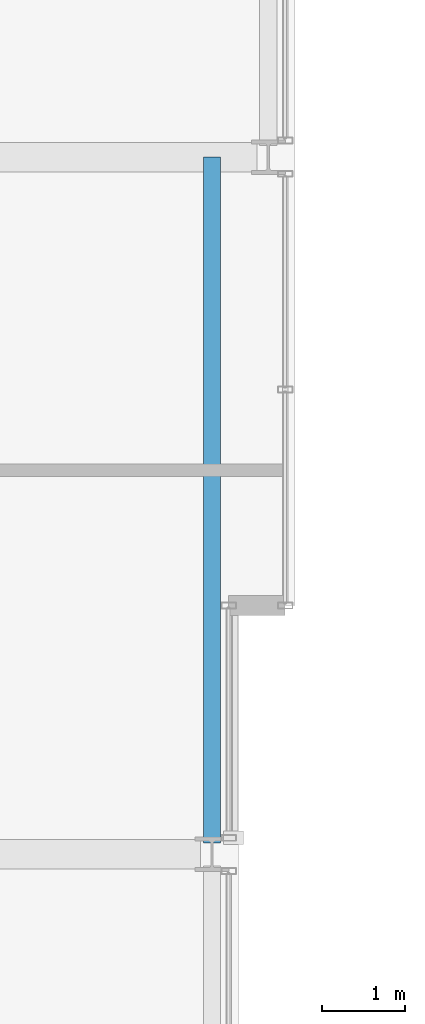
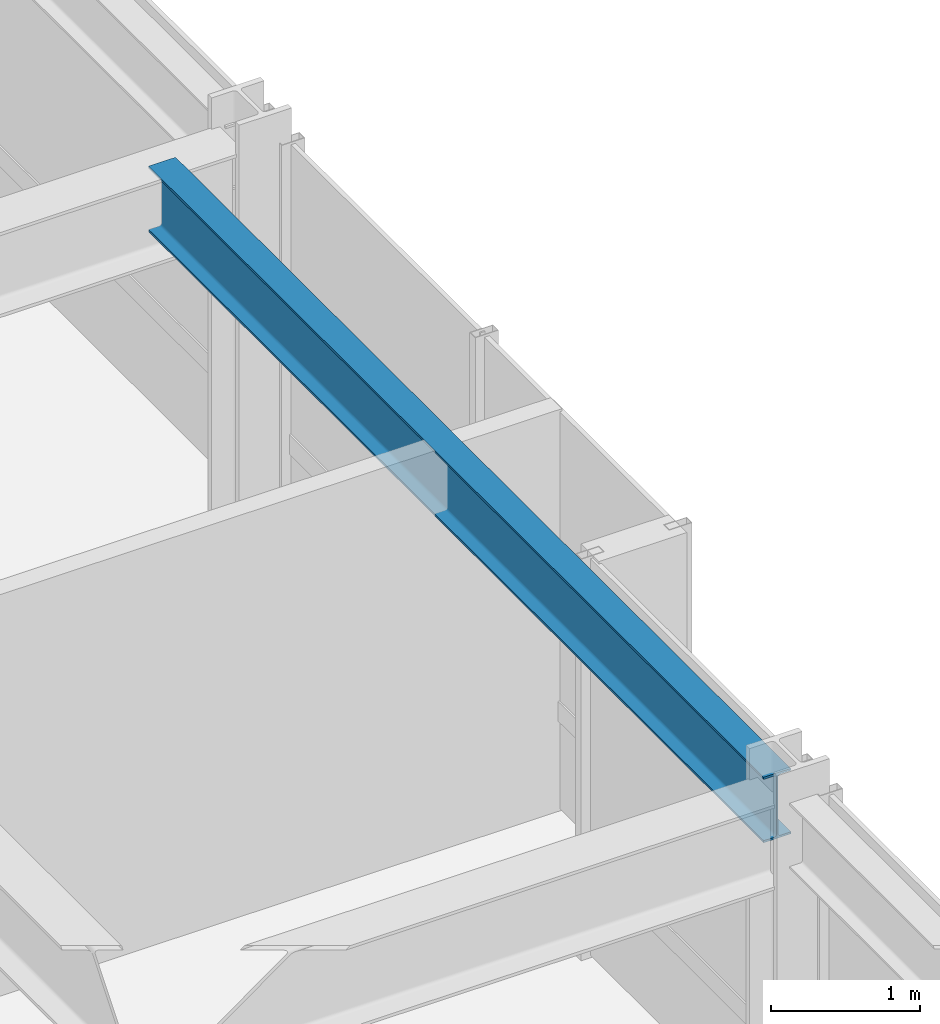
# One storey, part 16 of 33: 1 beam.
"""IFC4 building model written with IfcOpenShell, lengths in metres."""

from ifc_helpers import new_model, si_unit, direction, frame, origin, origin_2d, place, context, subcontext, project, spatial, i_section, extrude, material, material_profile, profile_set, type_object, element, save


model = new_model("IFC4")

# Units and contexts
model_context = context("Model", 3, precision=1e-05, world=origin(), true_north=direction((0.0, 1.0)))
body_context = subcontext(model_context, "Body", "Model", "MODEL_VIEW")
ifc_project = project(units=[si_unit("LENGTHUNIT", "METRE"), si_unit("AREAUNIT", "SQUARE_METRE"), si_unit("VOLUMEUNIT", "CUBIC_METRE"), si_unit("PLANEANGLEUNIT", "RADIAN"), si_unit("MASSUNIT", "GRAM", prefix="KILO")], contexts=[model_context])

# Site, building, storey
site_placement = place(None, origin())
site = spatial("IfcSite", under=ifc_project, at=site_placement, CompositionType="ELEMENT")
building_placement = place(site_placement, origin())
building = spatial("IfcBuilding", under=site, at=building_placement, Name="Drelvath Grand Hotel", CompositionType="ELEMENT")
storey_placement = place(building_placement, frame((0.0, 0.0, 168.14990234375)))
storey = spatial("IfcBuildingStorey", under=building, at=storey_placement, Name="L43", CompositionType="ELEMENT", Elevation=168.14990234375)

# Beam
ifc_material = material(Name="Steel ASTM A992 Gr 50", Category="steel")
ifc_material_profile = material_profile(ifc_material, i_section(OverallWidth=0.210205078125, OverallDepth=0.53662109375, WebThickness=0.010986328125, FlangeThickness=0.017333984375, FilletRadius=0.01806640625, at=origin_2d()), Name="W21X68")
ifc_profile_set = profile_set([ifc_material_profile], Name="Steel ASTM A992 Gr 50")
beam_type = type_object("IfcBeamType", Name="Perimeter Spandrel Beam W21X68", PredefinedType="SPANDREL", material=ifc_profile_set)
beam_placement = place(storey_placement, frame((21.199951171875, 27.139892578125, 3.021728515625), z_axis=(0.0, 1.0, 0.0), x_axis=(-1.0, 0.0, 0.0)))
element("IfcBeam", 1, at=beam_placement, inside=storey, type_object=beam_type, Name="L43 Spandrel East Mid N", PredefinedType="SPANDREL", context=body_context, shape_type="SweptSolid", body=[
    extrude(i_section(OverallWidth=0.210205078125, OverallDepth=0.53662109375, WebThickness=0.010986328125, FlangeThickness=0.017333984375, FilletRadius=0.01806640625, at=origin_2d()), origin(), (0.0, 0.0, 1.0), 8.260009765625),
])

save(model, "model.ifc")
